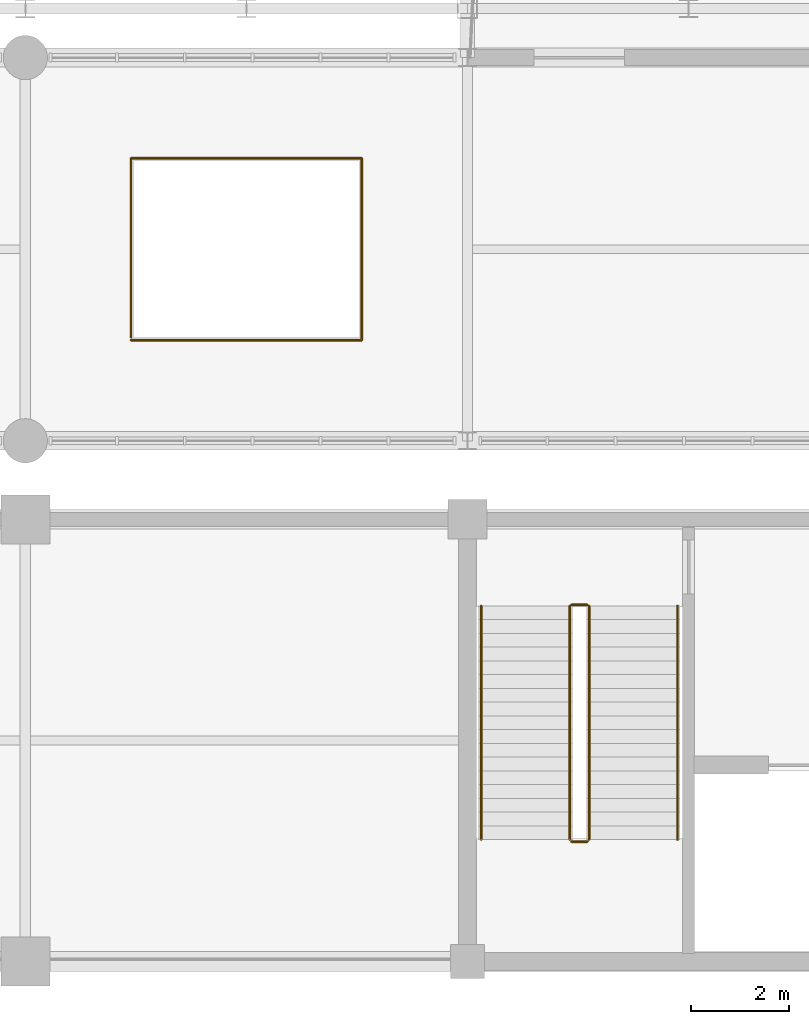
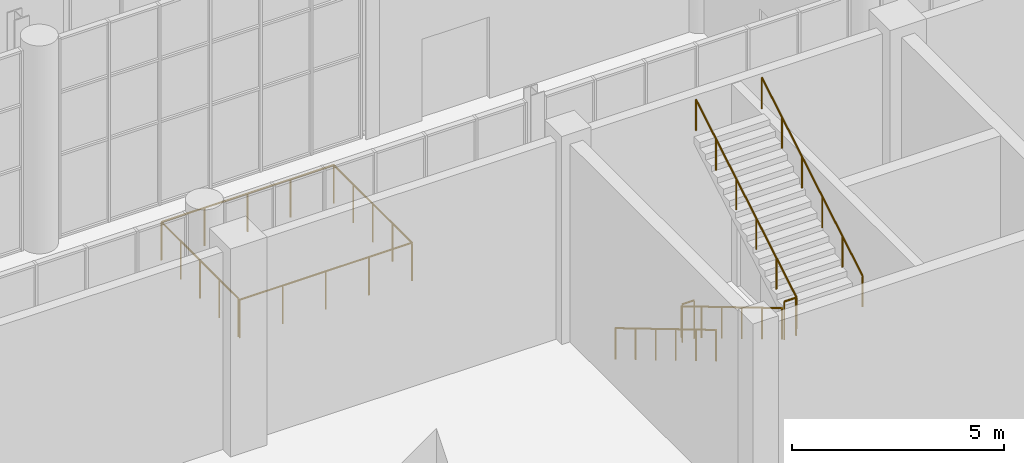
# One storey, part 154 of 159: 7 railings.
"""IFC4 building model written with IfcOpenShell, lengths in metres."""

from ifc_helpers import new_model, si_unit, direction, frame, origin, origin_2d, place, context, subcontext, project, spatial, circle, extrude, material, type_object, element, save


model = new_model("IFC4")

# Units and contexts
model_context = context("Model", 3, precision=1e-05, world=origin(), true_north=direction((0.0, 1.0)))
body_context = subcontext(model_context, "Body", "Model", "MODEL_VIEW")
ifc_project = project(units=[si_unit("LENGTHUNIT", "METRE"), si_unit("AREAUNIT", "SQUARE_METRE"), si_unit("VOLUMEUNIT", "CUBIC_METRE"), si_unit("PLANEANGLEUNIT", "RADIAN"), si_unit("MASSUNIT", "GRAM", prefix="KILO")], contexts=[model_context])

# Site, building, storey
site_placement = place(None, origin())
site = spatial("IfcSite", under=ifc_project, at=site_placement, CompositionType="ELEMENT")
building_placement = place(site_placement, origin())
building = spatial("IfcBuilding", under=site, at=building_placement, Name="Cazmaro Siding Exhibition Halls", CompositionType="ELEMENT")
storey_placement = place(building_placement, frame((0.0, 0.0, 6.0)))
storey = spatial("IfcBuildingStorey", under=building, at=storey_placement, Name="L01", CompositionType="ELEMENT", Elevation=6.0)

# Railings
ifc_material_1 = material(Name="Interior Laminated Glass and Brushed Stainless Steel Balustrade", Category="steel")
railing_type_1 = type_object("IfcRailingType", Name="RL-BAL-02", PredefinedType="BALUSTRADE", material=ifc_material_1)
railing_1_placement = place(storey_placement, frame((128.14990234375, 57.25, 0.0)))
element("IfcRailing", 1, at=railing_1_placement, inside=storey, type_object=railing_type_1, Name="Concourse Atrium Guard L01 RL-BAL-02 RL-G007", PredefinedType="BALUSTRADE", context=body_context, shape_type="SweptSolid", body=[
    extrude(circle(Radius=0.02392578125, at=origin_2d()), frame((0.0, 0.0, 1.09619140625), z_axis=(1.0, 0.0, 0.0), x_axis=(0.0, 1.0, 0.0)), (0.0, 0.0, 1.0), 4.7001953125),
    extrude(circle(Radius=0.02392578125, at=origin_2d()), frame((4.7001953125, 0.0, 1.09619140625), z_axis=(0.0, 1.0, 0.0), x_axis=(-1.0, 0.0, 0.0)), (0.0, 0.0, 1.0), 3.699951171875),
    extrude(circle(Radius=0.02392578125, at=origin_2d()), frame((4.7001953125, 3.699951171875, 1.09619140625), z_axis=(-1.0, 0.0, 0.0), x_axis=(0.0, -1.0, 0.0)), (0.0, 0.0, 1.0), 4.7001953125),
    extrude(circle(Radius=0.02392578125, at=origin_2d()), frame((0.0, 3.699951171875, 1.09619140625), z_axis=(0.0, -1.0, 0.0), x_axis=(1.0, 0.0, 0.0)), (0.0, 0.0, 1.0), 3.639892578125),
    extrude(circle(Radius=0.02099609375, at=origin_2d()), origin(), (0.0, 0.0, 1.0), 1.072021484375),
    extrude(circle(Radius=0.02099609375, at=origin_2d()), frame((1.175048828125, 0.0, 0.0)), (0.0, 0.0, 1.0), 1.072021484375),
    extrude(circle(Radius=0.02099609375, at=origin_2d()), frame((2.35009765625, 0.0, 0.0)), (0.0, 0.0, 1.0), 1.072021484375),
    extrude(circle(Radius=0.02099609375, at=origin_2d()), frame((3.525146484375, 0.0, 0.0)), (0.0, 0.0, 1.0), 1.072021484375),
    extrude(circle(Radius=0.02099609375, at=origin_2d()), frame((4.7001953125, 0.0, 0.0)), (0.0, 0.0, 1.0), 1.072021484375),
    extrude(circle(Radius=0.02099609375, at=origin_2d()), frame((4.7001953125, 0.925048828125, 0.0)), (0.0, 0.0, 1.0), 1.072021484375),
    extrude(circle(Radius=0.02099609375, at=origin_2d()), frame((4.7001953125, 1.85009765625, 0.0)), (0.0, 0.0, 1.0), 1.072021484375),
    extrude(circle(Radius=0.02099609375, at=origin_2d()), frame((4.7001953125, 2.77490234375, 0.0)), (0.0, 0.0, 1.0), 1.072021484375),
    extrude(circle(Radius=0.02099609375, at=origin_2d()), frame((4.7001953125, 3.699951171875, 0.0)), (0.0, 0.0, 1.0), 1.072021484375),
    extrude(circle(Radius=0.02099609375, at=origin_2d()), frame((3.525146484375, 3.699951171875, 0.0)), (0.0, 0.0, 1.0), 1.072021484375),
    extrude(circle(Radius=0.02099609375, at=origin_2d()), frame((2.35009765625, 3.699951171875, 0.0)), (0.0, 0.0, 1.0), 1.072021484375),
    extrude(circle(Radius=0.02099609375, at=origin_2d()), frame((1.175048828125, 3.699951171875, 0.0)), (0.0, 0.0, 1.0), 1.072021484375),
    extrude(circle(Radius=0.02099609375, at=origin_2d()), frame((0.0, 3.699951171875, 0.0)), (0.0, 0.0, 1.0), 1.072021484375),
    extrude(circle(Radius=0.02099609375, at=origin_2d()), frame((0.0, 2.7900390625, 0.0)), (0.0, 0.0, 1.0), 1.072021484375),
    extrude(circle(Radius=0.02099609375, at=origin_2d()), frame((0.0, 1.8798828125, 0.0)), (0.0, 0.0, 1.0), 1.072021484375),
    extrude(circle(Radius=0.02099609375, at=origin_2d()), frame((0.0, 0.969970703125, 0.0)), (0.0, 0.0, 1.0), 1.072021484375),
    extrude(circle(Radius=0.02099609375, at=origin_2d()), frame((0.0, 0.06005859375, 0.0)), (0.0, 0.0, 1.0), 1.072021484375),
])
ifc_material_2 = material(Name="Painted Steel Stairwell Guardrail", Category="steel")
railing_type_2 = type_object("IfcRailingType", Name="RL-GRD-01", PredefinedType="GUARDRAIL", material=ifc_material_2)
for number, where, name in (
    (2, (137.114990234375, 51.860107421875, 0.0), "Core C4 L01 Landing Slot Guard RL-GRD-01 RL-SG014"),
    (3, (137.114990234375, 47.0400390625, 3.0), "ST-08 Mid-Landing Slot Guard RL-GRD-01 RL-SG015"),
):
    element("IfcRailing", number, at=place(storey_placement, frame(where)), inside=storey, type_object=railing_type_2, Name=name, PredefinedType="GUARDRAIL", context=body_context, shape_type="SweptSolid", body=[
        extrude(circle(Radius=0.02392578125, at=origin_2d()), frame((0.0, 0.0, 1.09619140625), z_axis=(1.0, 0.0, 0.0), x_axis=(0.0, 1.0, 0.0)), (0.0, 0.0, 1.0), 0.324951171875),
        extrude(circle(Radius=0.02099609375, at=origin_2d()), origin(), (0.0, 0.0, 1.0), 1.072021484375),
        extrude(circle(Radius=0.02099609375, at=origin_2d()), frame((0.324951171875, 0.0, 0.0)), (0.0, 0.0, 1.0), 1.072021484375),
    ])
ifc_material_3 = material(Name="Brushed Stainless Steel Tubular Handrail", Category="steel")
railing_type_3 = type_object("IfcRailingType", Name="RL-HR-01", PredefinedType="HANDRAIL", material=ifc_material_3)
railing_2_placement = place(storey_placement, frame((135.280029296875, 51.840087890625, 0.1669921875)))
element("IfcRailing", 4, at=railing_2_placement, inside=storey, type_object=railing_type_3, Name="ST-08 Flight 1 Handrail 1", PredefinedType="HANDRAIL", context=body_context, shape_type="SweptSolid", body=[
    extrude(circle(Radius=0.02392578125, at=origin_2d()), frame((0.0, 0.0, 0.89599609375), z_axis=(0.0, -0.859319172962, 0.511439692417), x_axis=(1.0, 0.0, 0.0)), (0.0, 0.0, 1.0), 5.539306640625),
    extrude(circle(Radius=0.02099609375, at=origin_2d()), origin(), (0.0, 0.0, 1.0), 0.871826171875),
    extrude(circle(Radius=0.02099609375, at=origin_2d()), frame((0.0, -0.951904296875, 0.566650390625)), (0.0, 0.0, 1.0), 0.871826171875),
    extrude(circle(Radius=0.02099609375, at=origin_2d()), frame((0.0, -1.904052734375, 1.13330078125)), (0.0, 0.0, 1.0), 0.871826171875),
    extrude(circle(Radius=0.02099609375, at=origin_2d()), frame((0.0, -2.85595703125, 1.69970703125)), (0.0, 0.0, 1.0), 0.871826171875),
    extrude(circle(Radius=0.02099609375, at=origin_2d()), frame((0.0, -3.80810546875, 2.266357421875)), (0.0, 0.0, 1.0), 0.871826171875),
    extrude(circle(Radius=0.02099609375, at=origin_2d()), frame((0.0, -4.760009765625, 2.8330078125)), (0.0, 0.0, 1.0), 0.871826171875),
])
railing_3_placement = place(storey_placement, frame((137.47509765625, 47.080078125, 3.1669921875)))
element("IfcRailing", 5, at=railing_3_placement, inside=storey, type_object=railing_type_3, Name="ST-08 Flight 2 Handrail 1", PredefinedType="HANDRAIL", context=body_context, shape_type="SweptSolid", body=[
    extrude(circle(Radius=0.02392578125, at=origin_2d()), frame((0.0, 0.0, 0.89599609375), z_axis=(0.0, 0.859319172962, 0.511439692417), x_axis=(-1.0, 0.0, 0.0)), (0.0, 0.0, 1.0), 5.539306640625),
    extrude(circle(Radius=0.02099609375, at=origin_2d()), origin(), (0.0, 0.0, 1.0), 0.871826171875),
    extrude(circle(Radius=0.02099609375, at=origin_2d()), frame((0.0, 0.951904296875, 0.566650390625)), (0.0, 0.0, 1.0), 0.871826171875),
    extrude(circle(Radius=0.02099609375, at=origin_2d()), frame((0.0, 1.904052734375, 1.13330078125)), (0.0, 0.0, 1.0), 0.871826171875),
    extrude(circle(Radius=0.02099609375, at=origin_2d()), frame((0.0, 2.85595703125, 1.69970703125)), (0.0, 0.0, 1.0), 0.871826171875),
    extrude(circle(Radius=0.02099609375, at=origin_2d()), frame((0.0, 3.80810546875, 2.266357421875)), (0.0, 0.0, 1.0), 0.871826171875),
    extrude(circle(Radius=0.02099609375, at=origin_2d()), frame((0.0, 4.760009765625, 2.8330078125)), (0.0, 0.0, 1.0), 0.871826171875),
])
railing_4_placement = place(storey_placement, frame((137.080078125, 51.840087890625, 0.1669921875)))
element("IfcRailing", 6, at=railing_4_placement, inside=storey, type_object=railing_type_3, Name="ST-08 Flight 1 Handrail 2", PredefinedType="HANDRAIL", context=body_context, shape_type="SweptSolid", body=[
    extrude(circle(Radius=0.02392578125, at=origin_2d()), frame((0.0, 0.0, 0.89599609375), z_axis=(0.0, -0.859319172962, 0.511439692417), x_axis=(1.0, 0.0, 0.0)), (0.0, 0.0, 1.0), 5.539306640625),
    extrude(circle(Radius=0.02099609375, at=origin_2d()), origin(), (0.0, 0.0, 1.0), 0.871826171875),
    extrude(circle(Radius=0.02099609375, at=origin_2d()), frame((0.0, -0.951904296875, 0.566650390625)), (0.0, 0.0, 1.0), 0.871826171875),
    extrude(circle(Radius=0.02099609375, at=origin_2d()), frame((0.0, -1.904052734375, 1.13330078125)), (0.0, 0.0, 1.0), 0.871826171875),
    extrude(circle(Radius=0.02099609375, at=origin_2d()), frame((0.0, -2.85595703125, 1.69970703125)), (0.0, 0.0, 1.0), 0.871826171875),
    extrude(circle(Radius=0.02099609375, at=origin_2d()), frame((0.0, -3.80810546875, 2.266357421875)), (0.0, 0.0, 1.0), 0.871826171875),
    extrude(circle(Radius=0.02099609375, at=origin_2d()), frame((0.0, -4.760009765625, 2.8330078125)), (0.0, 0.0, 1.0), 0.871826171875),
])
railing_5_placement = place(storey_placement, frame((139.27490234375, 47.080078125, 3.1669921875)))
element("IfcRailing", 7, at=railing_5_placement, inside=storey, type_object=railing_type_3, Name="ST-08 Flight 2 Handrail 2", PredefinedType="HANDRAIL", context=body_context, shape_type="SweptSolid", body=[
    extrude(circle(Radius=0.02392578125, at=origin_2d()), frame((0.0, 0.0, 0.89599609375), z_axis=(0.0, 0.859319172962, 0.511439692417), x_axis=(-1.0, 0.0, 0.0)), (0.0, 0.0, 1.0), 5.539306640625),
    extrude(circle(Radius=0.02099609375, at=origin_2d()), origin(), (0.0, 0.0, 1.0), 0.871826171875),
    extrude(circle(Radius=0.02099609375, at=origin_2d()), frame((0.0, 0.951904296875, 0.566650390625)), (0.0, 0.0, 1.0), 0.871826171875),
    extrude(circle(Radius=0.02099609375, at=origin_2d()), frame((0.0, 1.904052734375, 1.13330078125)), (0.0, 0.0, 1.0), 0.871826171875),
    extrude(circle(Radius=0.02099609375, at=origin_2d()), frame((0.0, 2.85595703125, 1.69970703125)), (0.0, 0.0, 1.0), 0.871826171875),
    extrude(circle(Radius=0.02099609375, at=origin_2d()), frame((0.0, 3.80810546875, 2.266357421875)), (0.0, 0.0, 1.0), 0.871826171875),
    extrude(circle(Radius=0.02099609375, at=origin_2d()), frame((0.0, 4.760009765625, 2.8330078125)), (0.0, 0.0, 1.0), 0.871826171875),
])

save(model, "model.ifc")
